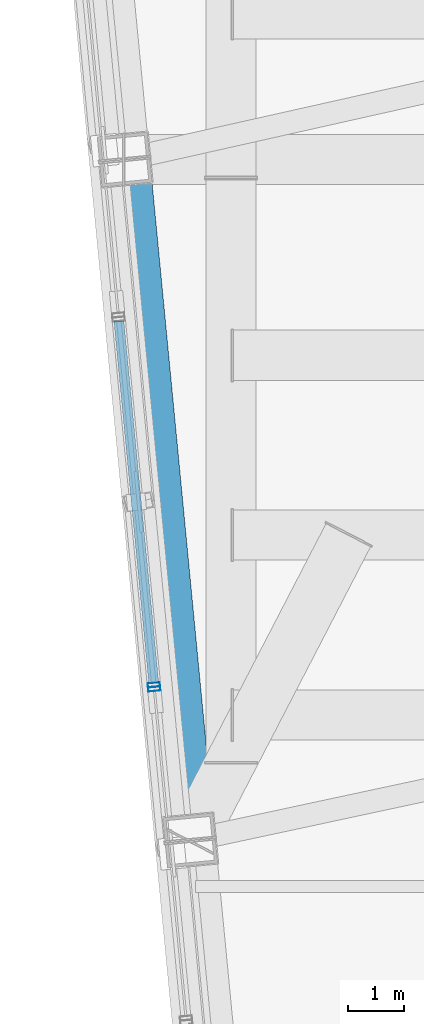
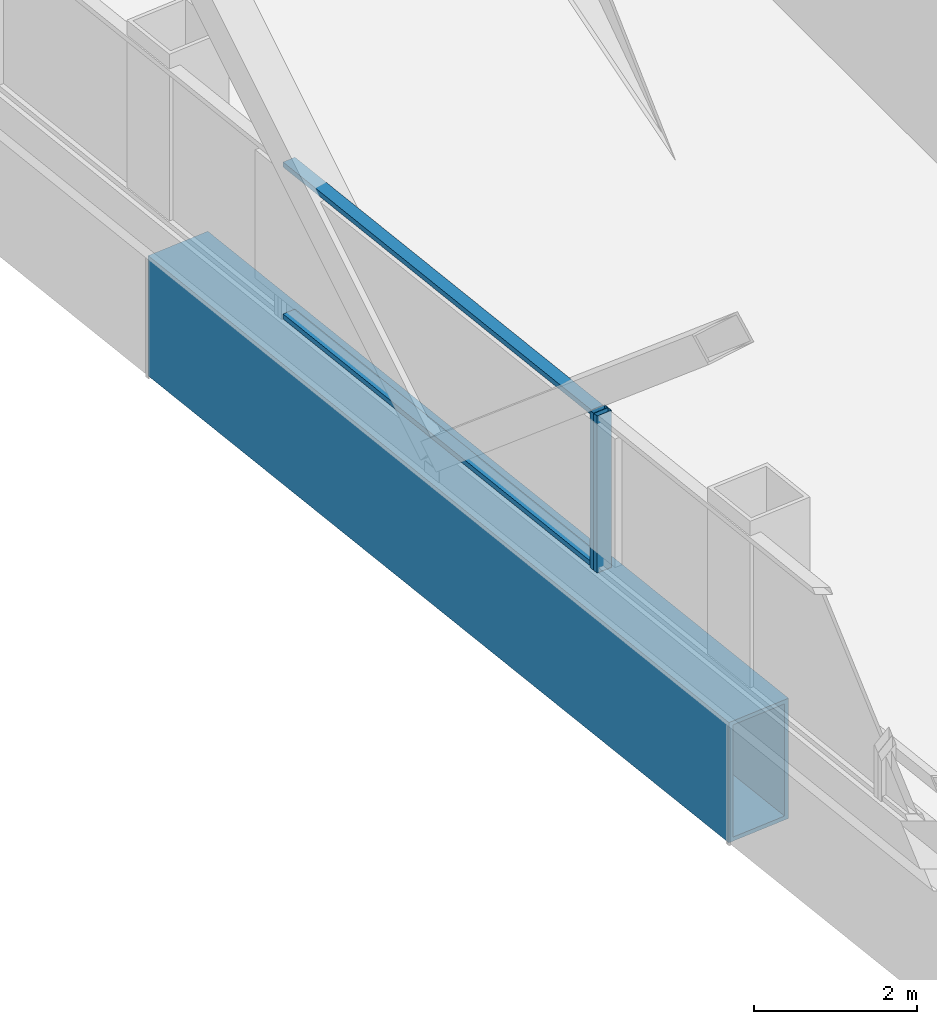
# One storey, part 12 of 42: 4 members, 1 beam, 2 elements without a shape of their own.
"""IFC4 building model written with IfcOpenShell, lengths in metres."""

from ifc_helpers import new_model, si_unit, direction, frame, origin, origin_2d, place, context, subcontext, project, spatial, hollow_rectangle, extrude, material, layer, layer_set, material_profile, profile_set, type_object, element, aggregate, save


model = new_model("IFC4")

# Units and contexts
model_context = context("Model", 3, precision=1e-05, world=origin(), true_north=direction((0.0, 1.0)))
body_context = subcontext(model_context, "Body", "Model", "MODEL_VIEW")
ifc_project = project(units=[si_unit("LENGTHUNIT", "METRE"), si_unit("AREAUNIT", "SQUARE_METRE"), si_unit("VOLUMEUNIT", "CUBIC_METRE"), si_unit("PLANEANGLEUNIT", "RADIAN"), si_unit("MASSUNIT", "GRAM", prefix="KILO")], contexts=[model_context])

# Site, building, storey
site_placement = place(None, origin())
site = spatial("IfcSite", under=ifc_project, at=site_placement, CompositionType="ELEMENT")
building_placement = place(site_placement, origin())
building = spatial("IfcBuilding", under=site, at=building_placement, Name="Qhalaya Broadcast Tower", CompositionType="ELEMENT")
storey_placement = place(building_placement, frame((0.0, 0.0, 69.449951171875)))
storey = spatial("IfcBuildingStorey", under=building, at=storey_placement, Name="L19", CompositionType="ELEMENT", Elevation=69.449951171875)

# Beam
ifc_material_1 = material(Name="Structural Steel ASTM A572 Grade 50", Category="steel")
ifc_material_profile_1 = material_profile(ifc_material_1, hollow_rectangle(XDim=0.89990234375, YDim=1.800048828125, WallThickness=0.06005859375, at=origin_2d()), Name="BOX 900x1800x60")
ifc_profile_set_1 = profile_set([ifc_material_profile_1], Name="Structural Steel ASTM A572 Grade 50")
beam_type = type_object("IfcBeamType", Name="Block Cantilever Transfer Box Girder TG1", PredefinedType="USERDEFINED", material=ifc_profile_set_1)
beam_placement = place(storey_placement, frame((-21.036865234375, 7.335205078125, -1.119873046875), z_axis=(0.095851586307, -0.99539563662, 0.0), x_axis=(0.99539563662, 0.095851586307, 0.0)))
element("IfcBeam", 1, at=beam_placement, inside=storey, type_object=beam_type, Name="L19 TG1 L19-SPR-14", ObjectType="GIRDER", PredefinedType="USERDEFINED", context=body_context, shape_type="SweptSolid", body=[
    extrude(hollow_rectangle(XDim=0.89990234375, YDim=1.800048828125, WallThickness=0.06005859375, at=origin_2d()), origin(), (0.0, 0.0, 1.0), 12.2666015625),
])

# Curtain wall, member
ifc_material_2 = material(Name="Fired Architectural Terracotta", Category="masonry")
ifc_layer_1 = layer(ifc_material_2, 0.219970703125, Name="Fired Architectural Terracotta")
ifc_layer_set_1 = layer_set([ifc_layer_1], Name="Fired Architectural Terracotta")
curtain_wall_type_1 = type_object("IfcCurtainWallType", Name="Block-Cap Unitised Terracotta Spandrel Wall CW-07", PredefinedType="NOTDEFINED", material=ifc_layer_set_1)
curtain_wall_1_placement = place(storey_placement, origin())
curtain_wall_1 = element("IfcCurtainWall", 2, at=curtain_wall_1_placement, inside=storey, type_object=curtain_wall_type_1, Name="L19 Unitised Curtain Wall L19-CW-W4", PredefinedType="NOTDEFINED")
ifc_material_3 = material(Name="Anodised Aluminium 6063-T6", Category="aluminium")
ifc_material_profile_2 = material_profile(ifc_material_3, hollow_rectangle(XDim=0.074951171875, YDim=0.219970703125, WallThickness=0.00390625, at=origin_2d()), Name="ALU-MUL 75x220x4")
ifc_profile_set_2 = profile_set([ifc_material_profile_2], Name="Anodised Aluminium 6063-T6")
member_type_1 = type_object("IfcMemberType", Name="Unitised Curtain-Wall Mullion M01", PredefinedType="MULLION", material=ifc_profile_set_2)
member_1_placement = place(storey_placement, frame((-20.511474609375, -2.08447265625, 0.47998046875), z_axis=(0.0, 0.0, 1.0), x_axis=(0.095857417835, -0.995395075056, 0.0)))
member_1 = element("IfcMember", 3, at=member_1_placement, type_object=member_type_1, Name="CW-07 mullion 2", PredefinedType="MULLION", context=body_context, shape_type="SweptSolid", body=[
    extrude(hollow_rectangle(XDim=0.074951171875, YDim=0.219970703125, WallThickness=0.00390625, at=origin_2d()), origin(), (0.0, 0.0, 1.0), 2.35009765625),
])

ifc_material_4 = material(Name="Solar-Control Low-E Triple Glazing", Category="glass")
ifc_layer_2 = layer(ifc_material_4, 0.219970703125, Name="Solar-Control Low-E Triple Glazing")
ifc_layer_set_2 = layer_set([ifc_layer_2], Name="Solar-Control Low-E Triple Glazing")
curtain_wall_type_2 = type_object("IfcCurtainWallType", Name="Even-Block 4-Storey Double-Module Curtain Wall CW-03", PredefinedType="NOTDEFINED", material=ifc_layer_set_2)
curtain_wall_2_placement = place(storey_placement, origin())
curtain_wall_2 = element("IfcCurtainWall", 4, at=curtain_wall_2_placement, inside=storey, type_object=curtain_wall_type_2, Name="L19 Unitised Curtain Wall L19-CW-W5", PredefinedType="NOTDEFINED")
member_2_placement = place(storey_placement, frame((-20.50439453125, -2.1591796875, 0.47998046875), z_axis=(0.0, 0.0, 1.0), x_axis=(0.095835542837, -0.995397181395, 0.0)))
member_2 = element("IfcMember", 5, at=member_2_placement, type_object=member_type_1, Name="CW-03 mullion 1", PredefinedType="MULLION", context=body_context, shape_type="SweptSolid", body=[
    extrude(hollow_rectangle(XDim=0.074951171875, YDim=0.219970703125, WallThickness=0.00390625, at=origin_2d()), origin(), (0.0, 0.0, 1.0), 2.35009765625),
])
aggregate(curtain_wall_2, [member_2])

# Member
ifc_material_profile_3 = material_profile(ifc_material_3, hollow_rectangle(XDim=0.074951171875, YDim=0.179931640625, WallThickness=0.00390625, at=origin_2d()), Name="ALU-TRN 75x180x4")
ifc_profile_set_3 = profile_set([ifc_material_profile_3], Name="Anodised Aluminium 6063-T6")
member_type_2 = type_object("IfcMemberType", Name="Unitised Curtain-Wall Transom T01", PredefinedType="USERDEFINED", material=ifc_profile_set_3)
member_3_placement = place(storey_placement, frame((-21.139404296875, 4.434814453125, 0.517578125), z_axis=(0.095861705812, -0.995394662111, 0.0), x_axis=(0.0, 0.0, 1.0)))
member_3 = element("IfcMember", 6, at=member_3_placement, type_object=member_type_2, Name="CW-07 transom 1.1", ObjectType="TRANSOM", PredefinedType="USERDEFINED", context=body_context, shape_type="SweptSolid", body=[
    extrude(hollow_rectangle(XDim=0.074951171875, YDim=0.179931640625, WallThickness=0.00390625, at=origin_2d()), origin(), (0.0, 0.0, 1.0), 6.51220703125),
])

member_4_placement = place(storey_placement, frame((-21.139404296875, 4.434814453125, 2.79248046875), z_axis=(0.095861705812, -0.995394662111, 0.0), x_axis=(0.0, 0.0, 1.0)))
member_4 = element("IfcMember", 7, at=member_4_placement, type_object=member_type_2, Name="CW-07 transom 1.2", ObjectType="TRANSOM", PredefinedType="USERDEFINED", context=body_context, shape_type="SweptSolid", body=[
    extrude(hollow_rectangle(XDim=0.074951171875, YDim=0.179931640625, WallThickness=0.00390625, at=origin_2d()), origin(), (0.0, 0.0, 1.0), 6.51220703125),
])

aggregate(curtain_wall_1, [member_1, member_3, member_4])

save(model, "model.ifc")
